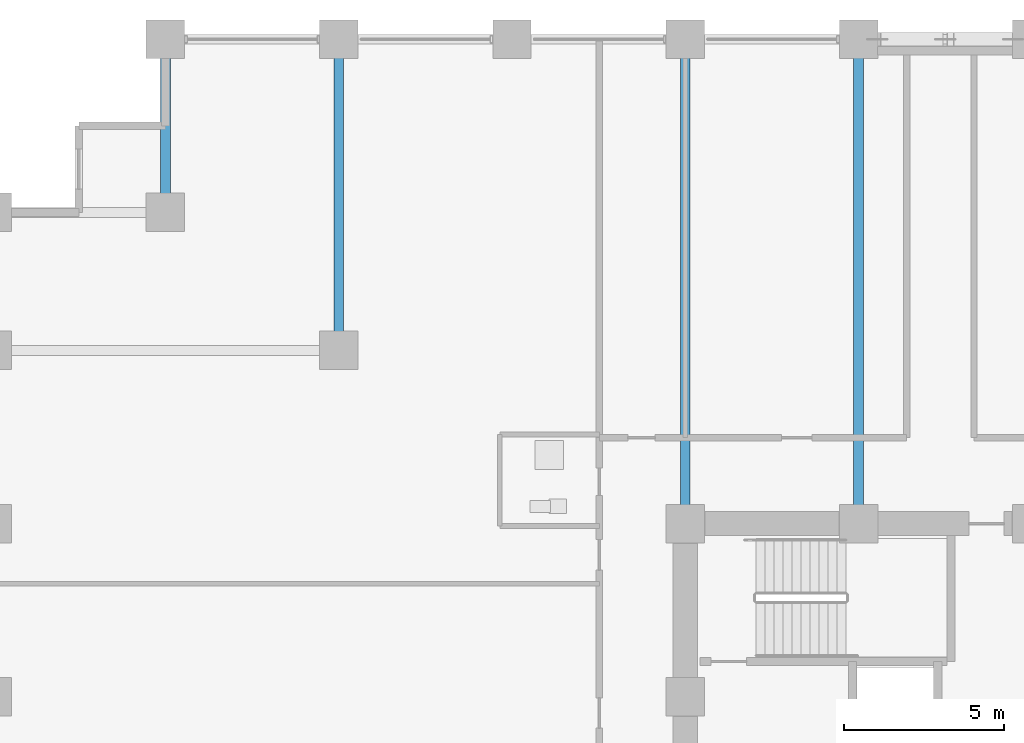
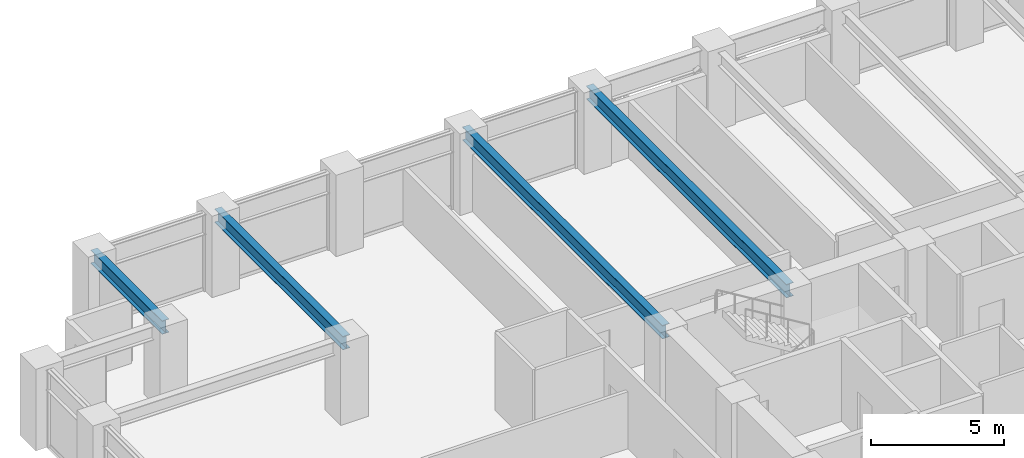
# One storey, part 10 of 26: 4 beams.
"""IFC4 building model written with IfcOpenShell, lengths in metres."""

import ifcopenshell
import ifcopenshell.guid

model = None  # the IFC model being written
_history = None  # IfcOwnerHistory: only IFC2X3 demands one
_inside = {}  # id of a spatial element -> (the spatial element, [elements in it])
_under = {}  # id of a project, library or spatial element -> (it, [spatial elements below it])
_declared = {}  # id of a project -> (the project, [libraries it declares])
_typed = {}  # id of a type object -> (the type object, [elements of that type])
_made_of = {}  # id of a material, layer set ... -> (it, [elements and type objects made of it])


def new_model(schema):
    """Start an empty IFC model of exactly this schema.

    Asked for "IFC4X3", IfcOpenShell would pick the latest addendum, in which some entities
    have other attributes; the version numbers below select the first issue.
    IFC2X3 requires an IfcOwnerHistory on every rooted entity: one is made here for all.
    """
    global model, _history
    if schema == "IFC4X3":
        model = ifcopenshell.file(schema_version=(4, 3, 0, 0))
    else:
        model = ifcopenshell.file(schema=schema)
    _inside.clear()
    _under.clear()
    _declared.clear()
    _typed.clear()
    _made_of.clear()
    _history = None
    if model.schema == "IFC2X3":
        org = make("IfcOrganization", Name="unknown")
        user = make(
            "IfcPersonAndOrganization",
            ThePerson=make("IfcPerson", FamilyName="unknown"),
            TheOrganization=org,
        )
        app = make(
            "IfcApplication",
            ApplicationDeveloper=org,
            Version="unknown",
            ApplicationFullName="unknown",
            ApplicationIdentifier="unknown",
        )
        _history = make(
            "IfcOwnerHistory",
            OwningUser=user,
            OwningApplication=app,
            ChangeAction="ADDED",
            CreationDate=0,
        )
    return model


def make(cls, **values):
    """One entity of the class cls with the attributes given. An attribute that is None is left unset."""
    return model.create_entity(
        cls, **{name: value for name, value in values.items() if value is not None}
    )


def rooted(cls, **values):
    """An entity with a GlobalId (a new one), such as an element, a storey or a relation."""
    return make(cls, GlobalId=ifcopenshell.guid.new(), OwnerHistory=_history, **values)


def si_unit(unit_type, name, prefix=None):
    """IfcSIUnit, for example si_unit("LENGTHUNIT", "METRE", prefix="MILLI")."""
    return make("IfcSIUnit", UnitType=unit_type, Prefix=prefix, Name=name)


def assignment(units):
    """IfcUnitAssignment: the units of a project."""
    return None if units is None else make("IfcUnitAssignment", Units=units)


def point(xyz):
    """IfcCartesianPoint."""
    return None if xyz is None else make("IfcCartesianPoint", Coordinates=xyz)


def direction(xyz):
    """IfcDirection."""
    return None if xyz is None else make("IfcDirection", DirectionRatios=xyz)


def frame(location, z_axis=None, x_axis=None):
    """IfcAxis2Placement3D, a coordinate frame: its origin and axes. An axis left out is left unset."""
    return make(
        "IfcAxis2Placement3D",
        Location=point(location),
        Axis=direction(z_axis),
        RefDirection=direction(x_axis),
    )


def frame_2d(location, x_axis=None):
    """IfcAxis2Placement2D, a coordinate frame in the plane: its origin and x axis."""
    return make(
        "IfcAxis2Placement2D", Location=point(location), RefDirection=direction(x_axis)
    )


def origin():
    """The frame at (0, 0, 0) with its axes left unset."""
    return frame((0.0, 0.0, 0.0))


def origin_2d():
    """The frame at (0, 0) in the plane with its x axis left unset."""
    return frame_2d((0.0, 0.0))


def place(relative_to, where):
    """IfcLocalPlacement: puts the frame where relative to a parent placement (None: the world)."""
    return make(
        "IfcLocalPlacement", PlacementRelTo=relative_to, RelativePlacement=where
    )


def context(
    kind, dimensions, precision=None, world=None, true_north=None, identifier=None
):
    """IfcGeometricRepresentationContext, for example the 3D "Model" context."""
    return make(
        "IfcGeometricRepresentationContext",
        ContextIdentifier=identifier,
        ContextType=kind,
        CoordinateSpaceDimension=dimensions,
        Precision=precision,
        WorldCoordinateSystem=world,
        TrueNorth=true_north,
    )


def subcontext(parent, identifier, kind, view, scale=None):
    """IfcGeometricRepresentationSubContext, for example "Body" below "Model"."""
    return make(
        "IfcGeometricRepresentationSubContext",
        ContextIdentifier=identifier,
        ContextType=kind,
        ParentContext=parent,
        TargetScale=scale,
        TargetView=view,
    )


def project(units=None, contexts=None):
    """IfcProject with its units and contexts."""
    return rooted(
        "IfcProject",
        Name="project",
        RepresentationContexts=contexts,
        UnitsInContext=assignment(units),
    )


def spatial(cls, under=None, at=None, **own):
    """A site, building, storey or space (cls), placed at a placement, below another one or the project."""
    s = rooted(cls, ObjectPlacement=at, **own)
    if under is not None:
        _under.setdefault(under.id(), (under, []))[1].append(s)
    return s


def profile(cls, at=None, kind="AREA", **sizes):
    """A parametric profile (cls). Its sizes go by their IFC names, for example OverallWidth=200.0."""
    return make(cls, ProfileType=kind, Position=at, **sizes)


def i_section(**sizes):
    """IfcIShapeProfileDef."""
    return profile("IfcIShapeProfileDef", **sizes)


def extrude(swept, where, along, depth):
    """IfcExtrudedAreaSolid: the profile swept, set in the frame where, extruded along a direction by depth."""
    return make(
        "IfcExtrudedAreaSolid",
        SweptArea=swept,
        Position=where,
        ExtrudedDirection=direction(along),
        Depth=depth,
    )


def shape(context_of_items, identifier, shape_type, items):
    """IfcShapeRepresentation: the items that make up one representation, for example the "Body"."""
    return make(
        "IfcShapeRepresentation",
        ContextOfItems=context_of_items,
        RepresentationIdentifier=identifier,
        RepresentationType=shape_type,
        Items=items,
    )


def material(Name=None, Category=None):
    """IfcMaterial."""
    return make("IfcMaterial", Name=Name, Category=Category)


def material_profile(
    of_material, cross_section, Name=None, Category=None, Priority=None
):
    """IfcMaterialProfile: a cross section and its material."""
    return make(
        "IfcMaterialProfile",
        Name=Name,
        Material=of_material,
        Profile=cross_section,
        Priority=Priority,
        Category=Category,
    )


def profile_set(profiles, Name=None, composite=None):
    """IfcMaterialProfileSet."""
    return make(
        "IfcMaterialProfileSet",
        Name=Name,
        MaterialProfiles=profiles,
        CompositeProfile=composite,
    )


def made_of(thing, what):
    """Note that an element or type object is made of a material, layer set ...; save() writes the relation."""
    if what is not None:
        _made_of.setdefault(what.id(), (what, []))[1].append(thing)
    return thing


def type_object(cls, material=None, **own):
    """A type object (cls), such as IfcWallType, which elements share."""
    return made_of(rooted(cls, **own), material)


def element(
    cls,
    number,
    at=None,
    inside=None,
    cuts=None,
    type_object=None,
    material=None,
    context=None,
    identifier="Body",
    shape_type=None,
    held_by="IfcProductDefinitionShape",
    body=None,
    shapes=None,
    **own,
):
    """One element of the class cls, such as IfcWall. Its Tag is "e" and its number.

    at: its placement. inside: the storey or other place that contains it. cuts: it is an
    opening in that element (IfcRelVoidsElement). A single representation is given by context,
    identifier, shape_type and body (its items); several are given by shapes. held_by: the class
    of the entity that holds the representations. save() writes the other relations.
    """
    e = rooted(cls, Tag="e%d" % number, ObjectPlacement=at, **own)
    if body is not None:
        shapes = [shape(context, identifier, shape_type, body)]
    if shapes is not None:
        e.Representation = make(held_by, Representations=shapes)
    if inside is not None:
        _inside.setdefault(inside.id(), (inside, []))[1].append(e)
    if cuts is not None:
        rooted(
            "IfcRelVoidsElement", RelatingBuildingElement=cuts, RelatedOpeningElement=e
        )
    if type_object is not None:
        _typed.setdefault(type_object.id(), (type_object, []))[1].append(e)
    return made_of(e, material)


def aggregate(whole, parts):
    """IfcRelAggregates: a whole, such as a stair, and the parts it consists of."""
    return rooted("IfcRelAggregates", RelatingObject=whole, RelatedObjects=parts)


def save(model, path):
    """Write the relations noted so far, then the file.

    IfcRelAggregates (storeys below a building ...), IfcRelContainedInSpatialStructure (elements
    in a storey), IfcRelDefinesByType, IfcRelAssociatesMaterial and IfcRelDeclares: one each for
    every whole, place, type object, material and project.
    """
    for whole, parts in _under.values():
        aggregate(whole, parts)
    for where, things in _inside.values():
        rooted(
            "IfcRelContainedInSpatialStructure",
            RelatedElements=things,
            RelatingStructure=where,
        )
    for kind, things in _typed.values():
        rooted("IfcRelDefinesByType", RelatedObjects=things, RelatingType=kind)
    for what, things in _made_of.values():
        rooted("IfcRelAssociatesMaterial", RelatedObjects=things, RelatingMaterial=what)
    for by, libraries in _declared.values():
        rooted("IfcRelDeclares", RelatingContext=by, RelatedDefinitions=libraries)
    model.write(path)


model = new_model("IFC4")

# Units and contexts
model_context = context("Model", 3, precision=1e-05, world=origin(), true_north=direction((0.0, 1.0)))
body_context = subcontext(model_context, "Body", "Model", "MODEL_VIEW")
ifc_project = project(units=[si_unit("LENGTHUNIT", "METRE"), si_unit("AREAUNIT", "SQUARE_METRE"), si_unit("VOLUMEUNIT", "CUBIC_METRE"), si_unit("PLANEANGLEUNIT", "RADIAN"), si_unit("MASSUNIT", "GRAM", prefix="KILO")], contexts=[model_context])

# Site, building, storey
site_placement = place(None, origin())
site = spatial("IfcSite", under=ifc_project, at=site_placement, CompositionType="ELEMENT")
building_placement = place(site_placement, origin())
building = spatial("IfcBuilding", under=site, at=building_placement, Name="Surkhivell Harbour Commons", CompositionType="ELEMENT")
storey_placement = place(building_placement, frame((0.0, 0.0, 71.25)))
storey = spatial("IfcBuildingStorey", under=building, at=storey_placement, Name="L18", CompositionType="ELEMENT", Elevation=71.25)

# Beams
ifc_material = material(Name="Steel S355", Category="steel")
ifc_material_profile = material_profile(ifc_material, i_section(OverallWidth=0.306884765625, OverallDepth=0.6201171875, WebThickness=0.01416015625, FlangeThickness=0.023681640625, at=origin_2d()), Name="UB610x305x179")
ifc_profile_set = profile_set([ifc_material_profile], Name="Steel S355")
beam_type = type_object("IfcBeamType", Name="BM-GRD-610A", PredefinedType="BEAM", material=ifc_profile_set)
beam_1_placement = place(storey_placement, frame((-27.0, 20.5, 3.260009765625), z_axis=(0.0, 1.0, 0.0), x_axis=(-1.0, 0.0, 0.0)))
element("IfcBeam", 1, at=beam_1_placement, inside=storey, type_object=beam_type, Name="L18 Floor Girder (-27.0,20.5)", PredefinedType="BEAM", context=body_context, shape_type="SweptSolid", body=[
    extrude(i_section(OverallWidth=0.306884765625, OverallDepth=0.6201171875, WebThickness=0.01416015625, FlangeThickness=0.023681640625, at=origin_2d()), origin(), (0.0, 0.0, 1.0), 5.39990234375),
])
beam_2_placement = place(storey_placement, frame((-21.60009765625, 16.199951171875, 3.260009765625), z_axis=(0.0, 1.0, 0.0), x_axis=(-1.0, 0.0, 0.0)))
element("IfcBeam", 2, at=beam_2_placement, inside=storey, type_object=beam_type, Name="L18 Floor Girder (-21.6,16.2)", PredefinedType="BEAM", context=body_context, shape_type="SweptSolid", body=[
    extrude(i_section(OverallWidth=0.306884765625, OverallDepth=0.6201171875, WebThickness=0.01416015625, FlangeThickness=0.023681640625, at=origin_2d()), origin(), (0.0, 0.0, 1.0), 9.699951171875),
])
for number, where, z_axis, x_axis, name in (
    (3, (-10.800048828125, 10.800048828125, 3.260009765625), (0.0, 1.0, 0.0), (-1.0, 0.0, 0.0), "L18 Floor Girder (-10.8,10.8)"),
    (4, (-5.39990234375, 10.800048828125, 3.260009765625), (0.0, 1.0, 0.0), (-1.0, 0.0, 0.0), "L18 Floor Girder (-5.4,10.8)"),
):
    element("IfcBeam", number, at=place(storey_placement, frame(where, z_axis=z_axis, x_axis=x_axis)), inside=storey, type_object=beam_type, Name=name, PredefinedType="BEAM", context=body_context, shape_type="SweptSolid", body=[
        extrude(i_section(OverallWidth=0.306884765625, OverallDepth=0.6201171875, WebThickness=0.01416015625, FlangeThickness=0.023681640625, at=origin_2d()), origin(), (0.0, 0.0, 1.0), 15.099853515625),
    ])

save(model, "model.ifc")
